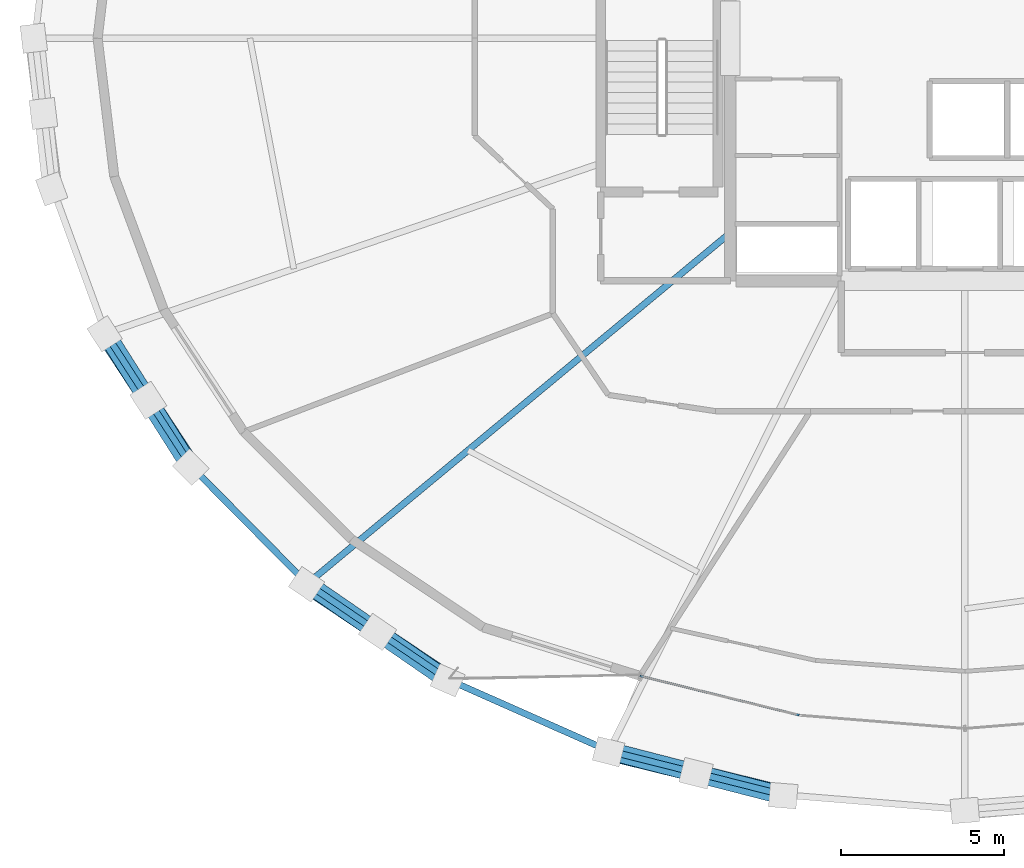
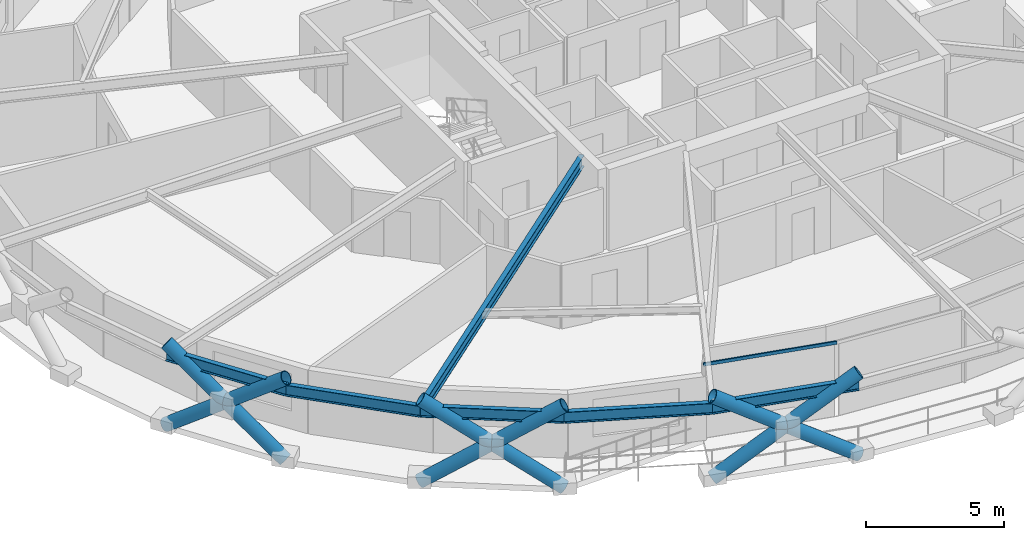
# One storey, part 1 of 21: 10 members, 6 beams, 1 element without a shape of its own.
"""IFC4 building model written with IfcOpenShell, lengths in metres."""

from ifc_helpers import new_model, si_unit, direction, frame, origin, origin_2d, place, context, subcontext, project, spatial, hollow_rectangle, hollow_circle, i_section, extrude, material, layer, layer_set, material_profile, profile_set, type_object, element, aggregate, save


model = new_model("IFC4")

# Units and contexts
model_context = context("Model", 3, precision=1e-05, world=origin(), true_north=direction((0.0, 1.0)))
body_context = subcontext(model_context, "Body", "Model", "MODEL_VIEW")
ifc_project = project(units=[si_unit("LENGTHUNIT", "METRE"), si_unit("AREAUNIT", "SQUARE_METRE"), si_unit("VOLUMEUNIT", "CUBIC_METRE"), si_unit("PLANEANGLEUNIT", "RADIAN"), si_unit("MASSUNIT", "GRAM", prefix="KILO")], contexts=[model_context])

# Site, building, storey
site_placement = place(None, origin())
site = spatial("IfcSite", under=ifc_project, at=site_placement, CompositionType="ELEMENT")
building_placement = place(site_placement, origin())
building = spatial("IfcBuilding", under=site, at=building_placement, Name="Veldorina Hangang Commons", CompositionType="ELEMENT")
storey_placement = place(building_placement, frame((0.0, 0.0, 128.0)))
storey = spatial("IfcBuildingStorey", under=building, at=storey_placement, Name="L32", CompositionType="ELEMENT", Elevation=128.0)

# Beams
ifc_material_1 = material(Name="Steel SM420-TMC", Category="steel")
ifc_material_profile_1 = material_profile(ifc_material_1, i_section(OverallWidth=0.199951171875, OverallDepth=0.5, WebThickness=0.010009765625, FlangeThickness=0.01611328125, FilletRadius=0.01611328125, at=origin_2d()), Name="H-500x200x10x16")
ifc_profile_set_1 = profile_set([ifc_material_profile_1], Name="Steel SM420-TMC")
beam_type_1 = type_object("IfcBeamType", Name="BM-FG500", PredefinedType="BEAM", material=ifc_profile_set_1)
beam_1_placement = place(storey_placement, frame((24.800048828125, 18.02685546875, 3.10009765625), z_axis=(-0.769634147532, -0.638485143878, 0.0), x_axis=(0.638485143878, -0.769634147532, 0.0)))
element("IfcBeam", 1, at=beam_1_placement, inside=storey, type_object=beam_type_1, Name="L32 radial floor girder 11", PredefinedType="BEAM", context=body_context, shape_type="SweptSolid", body=[
    extrude(i_section(OverallWidth=0.199951171875, OverallDepth=0.5, WebThickness=0.010009765625, FlangeThickness=0.01611328125, FilletRadius=0.01611328125, at=origin_2d()), origin(), (0.0, 0.0, 1.0), 16.875),
])
ifc_material_profile_2 = material_profile(ifc_material_1, i_section(OverallWidth=0.199951171875, OverallDepth=0.5, WebThickness=0.010009765625, FlangeThickness=0.01611328125, FilletRadius=0.01611328125, at=origin_2d()), Name="H-500x200x10x16")
ifc_profile_set_2 = profile_set([ifc_material_profile_2], Name="Steel SM420-TMC")
beam_type_2 = type_object("IfcBeamType", Name="BM-RB500", PredefinedType="BEAM", material=ifc_profile_set_2)
beam_2_placement = place(storey_placement, frame((5.623779296875, 14.936279296875, 3.10009765625), z_axis=(0.541608468254, -0.840630874472, 0.0), x_axis=(0.840630874472, 0.541608468254, 0.0)))
element("IfcBeam", 2, at=beam_2_placement, inside=storey, type_object=beam_type_2, Name="L32 perimeter hoop ring beam 18", PredefinedType="BEAM", context=body_context, shape_type="SweptSolid", body=[
    extrude(i_section(OverallWidth=0.199951171875, OverallDepth=0.5, WebThickness=0.010009765625, FlangeThickness=0.01611328125, FilletRadius=0.01611328125, at=origin_2d()), origin(), (0.0, 0.0, 1.0), 4.87109375),
])
beam_3_placement = place(storey_placement, frame((8.261962890625, 10.841552734375, 3.10009765625), z_axis=(0.703276147778, -0.710916774289, 0.0), x_axis=(0.710916774289, 0.703276147778, 0.0)))
element("IfcBeam", 3, at=beam_3_placement, inside=storey, type_object=beam_type_2, Name="L32 perimeter hoop ring beam 19", PredefinedType="BEAM", context=body_context, shape_type="SweptSolid", body=[
    extrude(i_section(OverallWidth=0.199951171875, OverallDepth=0.5, WebThickness=0.010009765625, FlangeThickness=0.01611328125, FilletRadius=0.01611328125, at=origin_2d()), origin(), (0.0, 0.0, 1.0), 5.048583984375),
])
beam_4_placement = place(storey_placement, frame((11.8125, 7.25244140625, 3.10009765625), z_axis=(0.826607096324, -0.56277944908, 0.0), x_axis=(0.56277944908, 0.826607096324, 0.0)))
element("IfcBeam", 4, at=beam_4_placement, inside=storey, type_object=beam_type_2, Name="L32 perimeter hoop ring beam 20", PredefinedType="BEAM", context=body_context, shape_type="SweptSolid", body=[
    extrude(i_section(OverallWidth=0.199951171875, OverallDepth=0.5, WebThickness=0.010009765625, FlangeThickness=0.01611328125, FilletRadius=0.01611328125, at=origin_2d()), origin(), (0.0, 0.0, 1.0), 5.23388671875),
])
beam_5_placement = place(storey_placement, frame((16.138916015625, 4.306884765625, 3.10009765625), z_axis=(0.914152451428, -0.405370565715, 0.0), x_axis=(0.405370565715, 0.914152451428, 0.0)))
element("IfcBeam", 5, at=beam_5_placement, inside=storey, type_object=beam_type_2, Name="L32 perimeter hoop ring beam 21", PredefinedType="BEAM", context=body_context, shape_type="SweptSolid", body=[
    extrude(i_section(OverallWidth=0.199951171875, OverallDepth=0.5, WebThickness=0.010009765625, FlangeThickness=0.01611328125, FilletRadius=0.01611328125, at=origin_2d()), origin(), (0.0, 0.0, 1.0), 5.3994140625),
])
beam_6_placement = place(storey_placement, frame((21.07470703125, 2.1181640625, 3.10009765625), z_axis=(0.969769500775, -0.244022776327, 0.0), x_axis=(0.244022776327, 0.969769500775, 0.0)))
element("IfcBeam", 6, at=beam_6_placement, inside=storey, type_object=beam_type_2, Name="L32 perimeter hoop ring beam 22", PredefinedType="BEAM", context=body_context, shape_type="SweptSolid", body=[
    extrude(i_section(OverallWidth=0.199951171875, OverallDepth=0.5, WebThickness=0.010009765625, FlangeThickness=0.01611328125, FilletRadius=0.01611328125, at=origin_2d()), origin(), (0.0, 0.0, 1.0), 5.522705078125),
])

# Curtain wall, member
ifc_material_2 = material(Name="Glass Low-E Triple IGU", Category="glass")
ifc_layer = layer(ifc_material_2, 0.179931640625)
ifc_layer_set = layer_set([ifc_layer], Name="Glass Low-E Triple IGU")
curtain_wall_type = type_object("IfcCurtainWallType", Name="CW-SYS-Z2", PredefinedType="NOTDEFINED", material=ifc_layer_set)
curtain_wall_placement = place(storey_placement, origin())
curtain_wall = element("IfcCurtainWall", 7, at=curtain_wall_placement, inside=storey, type_object=curtain_wall_type, Name="L32 unitised curtain wall CW-L32-R1", PredefinedType="NOTDEFINED")
ifc_material_3 = material(Name="Aluminium Anodized AA6063-T6", Category="aluminium")
ifc_material_profile_3 = material_profile(ifc_material_3, hollow_rectangle(XDim=0.06005859375, YDim=0.139892578125, WallThickness=0.00341796875, at=origin_2d()), Name="ALU-RHS-140x60x3.5")
ifc_profile_set_3 = profile_set([ifc_material_profile_3], Name="Aluminium Anodized AA6063-T6")
member_type_1 = type_object("IfcMemberType", Name="CW-TRN-140", PredefinedType="USERDEFINED", material=ifc_profile_set_3)
member_1_placement = place(storey_placement, frame((22.025146484375, 4.423095703125, 3.27001953125), z_axis=(0.970913183653, -0.239431806175, 0.0), x_axis=(0.239431806175, 0.970913183653, 0.0)))
member_1 = element("IfcMember", 8, at=member_1_placement, type_object=member_type_1, Name="CW-L32-R1 facet 1 transom 1", ObjectType="TRANSOM", PredefinedType="USERDEFINED", context=body_context, shape_type="SweptSolid", body=[
    extrude(hollow_rectangle(XDim=0.06005859375, YDim=0.139892578125, WallThickness=0.00341796875, at=origin_2d()), origin(), (0.0, 0.0, 1.0), 5.0361328125),
])
aggregate(curtain_wall, [member_1])

# Members
ifc_material_profile_4 = material_profile(ifc_material_1, hollow_circle(Radius=0.27490234375, WallThickness=0.028076171875, at=origin_2d()), Name="CHS-550x28")
ifc_profile_set_4 = profile_set([ifc_material_profile_4], Name="Steel SM420-TMC")
member_type_2 = type_object("IfcMemberType", Name="DG-CHS550", PredefinedType="BRACE", material=ifc_profile_set_4)
member_2_placement = place(storey_placement, frame((5.59033203125, 14.926513671875, 0.0), z_axis=(0.441249856703, -0.673084133325, 0.593511847755), x_axis=(0.836310902879, 0.548255482166, 0.0)))
element("IfcMember", 9, at=member_2_placement, inside=storey, type_object=member_type_2, Name="L32 continuous perimeter diagrid brace 18", PredefinedType="BRACE", context=body_context, shape_type="SweptSolid", body=[
    extrude(hollow_circle(Radius=0.27490234375, WallThickness=0.028076171875, at=origin_2d()), origin(), (0.0, 0.0, 1.0), 6.065673828125),
])
member_3_placement = place(storey_placement, frame((8.23193359375, 10.827392578125, 0.0), z_axis=(-0.430124408632, 0.679088639908, 0.594837467083), x_axis=(-0.844799429232, -0.535083100434, 0.0)))
element("IfcMember", 10, at=member_3_placement, inside=storey, type_object=member_type_2, Name="L32 split perimeter diagrid lower brace 19", PredefinedType="BRACE", context=body_context, shape_type="SweptSolid", body=[
    extrude(hollow_circle(Radius=0.27490234375, WallThickness=0.028076171875, at=origin_2d()), origin(), (0.0, 0.0, 1.0), 3.028076171875),
])
member_4_placement = place(storey_placement, frame((6.929443359375, 12.8837890625, 1.80126953125), z_axis=(-0.429974607104, 0.679191958237, 0.594827807951), x_axis=(-0.844920446448, -0.534891988325, 0.0)))
element("IfcMember", 11, at=member_4_placement, inside=storey, type_object=member_type_2, Name="L32 split perimeter diagrid upper brace 19", PredefinedType="BRACE", context=body_context, shape_type="SweptSolid", body=[
    extrude(hollow_circle(Radius=0.27490234375, WallThickness=0.028076171875, at=origin_2d()), origin(), (0.0, 0.0, 1.0), 3.024169921875),
])
member_5_placement = place(storey_placement, frame((11.787109375, 7.234619140625, 0.0), z_axis=(0.684503540861, -0.459635800674, 0.565853190578), x_axis=(0.557468099696, 0.830198360526, 0.0)))
element("IfcMember", 12, at=member_5_placement, inside=storey, type_object=member_type_2, Name="L32 continuous perimeter diagrid brace 20", PredefinedType="BRACE", context=body_context, shape_type="SweptSolid", body=[
    extrude(hollow_circle(Radius=0.27490234375, WallThickness=0.028076171875, at=origin_2d()), origin(), (0.0, 0.0, 1.0), 6.3623046875),
])
member_6_placement = place(storey_placement, frame((16.11865234375, 4.285888671875, 0.0), z_axis=(-0.677826604259, 0.46779799103, 0.567200259297), x_axis=(-0.568005588947, -0.823024696425, 0.0)))
element("IfcMember", 13, at=member_6_placement, inside=storey, type_object=member_type_2, Name="L32 split perimeter diagrid lower brace 21", PredefinedType="BRACE", context=body_context, shape_type="SweptSolid", body=[
    extrude(hollow_circle(Radius=0.27490234375, WallThickness=0.028076171875, at=origin_2d()), origin(), (0.0, 0.0, 1.0), 3.17578125),
])
member_7_placement = place(storey_placement, frame((13.966064453125, 5.771484375, 1.80126953125), z_axis=(-0.677752470469, 0.467898627387, 0.56720583853), x_axis=(-0.568130433383, -0.822938521801, 0.0)))
element("IfcMember", 14, at=member_7_placement, inside=storey, type_object=member_type_2, Name="L32 split perimeter diagrid upper brace 21", PredefinedType="BRACE", context=body_context, shape_type="SweptSolid", body=[
    extrude(hollow_circle(Radius=0.27490234375, WallThickness=0.028076171875, at=origin_2d()), origin(), (0.0, 0.0, 1.0), 3.17138671875),
])
member_8_placement = place(storey_placement, frame((21.060791015625, 2.094970703125, 0.0), z_axis=(0.813840431794, -0.200111959977, 0.545544640751), x_axis=(0.238773790717, 0.971075216895, 0.0)))
element("IfcMember", 15, at=member_8_placement, inside=storey, type_object=member_type_2, Name="L32 continuous perimeter diagrid brace 22", PredefinedType="BRACE", context=body_context, shape_type="SweptSolid", body=[
    extrude(hollow_circle(Radius=0.27490234375, WallThickness=0.028076171875, at=origin_2d()), origin(), (0.0, 0.0, 1.0), 6.59912109375),
])
member_9_placement = place(storey_placement, frame((26.423095703125, 0.74560546875, 0.0), z_axis=(-0.811199923208, 0.208778295468, 0.546229171619), x_axis=(-0.249247109094, -0.968439919979, 0.0)))
element("IfcMember", 16, at=member_9_placement, inside=storey, type_object=member_type_2, Name="L32 split perimeter diagrid lower brace 23", PredefinedType="BRACE", context=body_context, shape_type="SweptSolid", body=[
    extrude(hollow_circle(Radius=0.27490234375, WallThickness=0.028076171875, at=origin_2d()), origin(), (0.0, 0.0, 1.0), 3.297607421875),
])
member_10_placement = place(storey_placement, frame((23.748046875, 1.43408203125, 1.80126953125), z_axis=(-0.811147902327, 0.20892192567, 0.546251507572), x_axis=(-0.249422917328, -0.968394655247, 0.0)))
element("IfcMember", 17, at=member_10_placement, inside=storey, type_object=member_type_2, Name="L32 split perimeter diagrid upper brace 23", PredefinedType="BRACE", context=body_context, shape_type="SweptSolid", body=[
    extrude(hollow_circle(Radius=0.27490234375, WallThickness=0.028076171875, at=origin_2d()), origin(), (0.0, 0.0, 1.0), 3.29296875),
])

save(model, "model.ifc")
